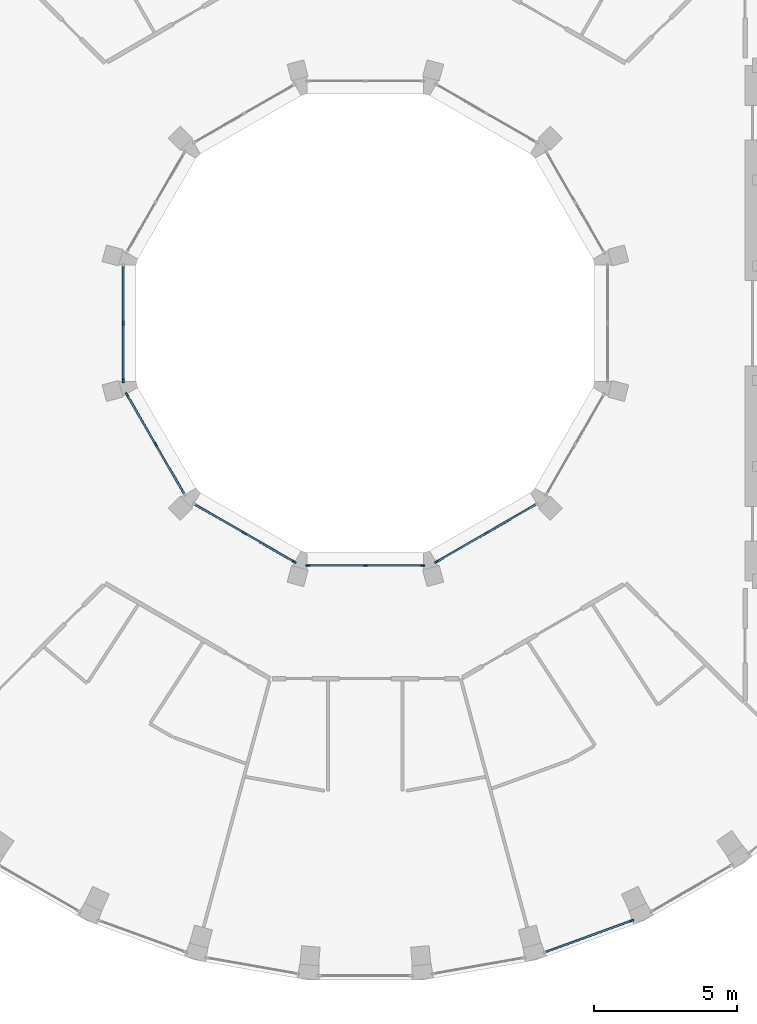
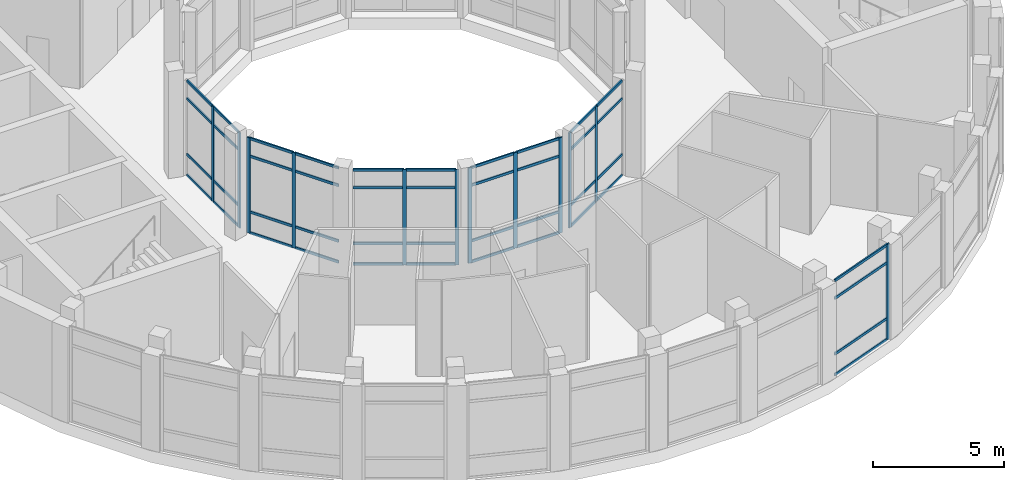
# One storey, part 3 of 16: 56 members, 6 elements without a shape of their own.
"""IFC4 building model written with IfcOpenShell, lengths in metres."""

from ifc_helpers import new_model, si_unit, direction, frame, origin, origin_2d, place, context, subcontext, project, spatial, rectangle, extrude, material, layer, layer_set, material_profile, profile_set, type_object, element, aggregate, save


model = new_model("IFC4")

# Units and contexts
model_context = context("Model", 3, precision=1e-05, world=origin(), true_north=direction((0.0, 1.0)))
body_context = subcontext(model_context, "Body", "Model", "MODEL_VIEW")
ifc_project = project(units=[si_unit("LENGTHUNIT", "METRE"), si_unit("AREAUNIT", "SQUARE_METRE"), si_unit("VOLUMEUNIT", "CUBIC_METRE"), si_unit("PLANEANGLEUNIT", "RADIAN"), si_unit("MASSUNIT", "GRAM", prefix="KILO")], contexts=[model_context])

# Site, building, storey
site_placement = place(None, origin())
site = spatial("IfcSite", under=ifc_project, at=site_placement, CompositionType="ELEMENT")
building_placement = place(site_placement, origin())
building = spatial("IfcBuilding", under=site, at=building_placement, Name="Saqina Gate Tower", CompositionType="ELEMENT")
storey_placement = place(building_placement, frame((0.0, 0.0, 279.199951171875)))
storey = spatial("IfcBuildingStorey", under=building, at=storey_placement, Name="L80", CompositionType="ELEMENT", Elevation=279.199951171875)

# Curtain wall, members
ifc_material_1 = material(Name="Aluminium glazing", Category="aluminium")
ifc_layer_1 = layer(ifc_material_1, 0.159912109375)
ifc_layer_set_1 = layer_set([ifc_layer_1], Name="CWT-2")
curtain_wall_type_1 = type_object("IfcCurtainWallType", Name="CWT-2", PredefinedType="NOTDEFINED", material=ifc_layer_set_1)
curtain_wall_1_placement = place(storey_placement, origin())
curtain_wall_1 = element("IfcCurtainWall", 1, at=curtain_wall_1_placement, inside=storey, type_object=curtain_wall_type_1, Name="Sky lounge glazing facet 29", PredefinedType="NOTDEFINED")
ifc_material_2 = material(Name="Aluminium", Category="aluminium")
ifc_material_profile_1 = material_profile(ifc_material_2, rectangle(XDim=0.06005859375, YDim=0.159912109375, at=origin_2d()), Name="Aluminium 60x160")
ifc_profile_set_1 = profile_set([ifc_material_profile_1], Name="Aluminium")
member_type_1 = type_object("IfcMemberType", Name="CWT-2M", PredefinedType="MULLION", material=ifc_profile_set_1)
member_1_placement = place(storey_placement, frame((9.284912109375, -20.843994140625, 0.0), z_axis=(0.0, 0.0, 1.0), x_axis=(-0.342007258437, 0.939697310402, 0.0)))
member_1 = element("IfcMember", 2, at=member_1_placement, type_object=member_type_1, Name="CW2-29 mullion 2", PredefinedType="MULLION", context=body_context, shape_type="SweptSolid", body=[
    extrude(rectangle(XDim=0.06005859375, YDim=0.159912109375, at=origin_2d()), origin(), (0.0, 0.0, 1.0), 4.449951171875),
])
ifc_material_3 = material(Name="Aluminium", Category="aluminium")
ifc_material_profile_2 = material_profile(ifc_material_3, rectangle(XDim=0.06005859375, YDim=0.1201171875, at=origin_2d()), Name="Aluminium 60x120")
ifc_profile_set_2 = profile_set([ifc_material_profile_2], Name="Aluminium")
member_type_2 = type_object("IfcMemberType", Name="CWT-2T", PredefinedType="USERDEFINED", material=ifc_profile_set_2)
member_2_placement = place(storey_placement, frame((6.313720703125, -21.92529296875, 0.030029296875), z_axis=(0.939700067025, 0.341999684258, 0.0), x_axis=(-0.341999684258, 0.939700067025, 0.0)))
member_2 = element("IfcMember", 3, at=member_2_placement, type_object=member_type_2, Name="CW2-29 transom 1.1", ObjectType="TRANSOM", PredefinedType="USERDEFINED", context=body_context, shape_type="SweptSolid", body=[
    extrude(rectangle(XDim=0.06005859375, YDim=0.1201171875, at=origin_2d()), origin(), (0.0, 0.0, 1.0), 3.131591796875),
])
member_3_placement = place(storey_placement, frame((6.313720703125, -21.92529296875, 1.0), z_axis=(0.939700067025, 0.341999684258, 0.0), x_axis=(-0.341999684258, 0.939700067025, 0.0)))
member_3 = element("IfcMember", 4, at=member_3_placement, type_object=member_type_2, Name="CW2-29 transom 1.2", ObjectType="TRANSOM", PredefinedType="USERDEFINED", context=body_context, shape_type="SweptSolid", body=[
    extrude(rectangle(XDim=0.06005859375, YDim=0.1201171875, at=origin_2d()), origin(), (0.0, 0.0, 1.0), 3.131591796875),
])
member_4_placement = place(storey_placement, frame((6.313720703125, -21.92529296875, 3.60009765625), z_axis=(0.939700067025, 0.341999684258, 0.0), x_axis=(-0.341999684258, 0.939700067025, 0.0)))
member_4 = element("IfcMember", 5, at=member_4_placement, type_object=member_type_2, Name="CW2-29 transom 1.3", ObjectType="TRANSOM", PredefinedType="USERDEFINED", context=body_context, shape_type="SweptSolid", body=[
    extrude(rectangle(XDim=0.06005859375, YDim=0.1201171875, at=origin_2d()), origin(), (0.0, 0.0, 1.0), 3.131591796875),
])
member_5_placement = place(storey_placement, frame((6.313720703125, -21.92529296875, 4.420166015625), z_axis=(0.939700067025, 0.341999684258, 0.0), x_axis=(-0.341999684258, 0.939700067025, 0.0)))
member_5 = element("IfcMember", 6, at=member_5_placement, type_object=member_type_2, Name="CW2-29 transom 1.4", ObjectType="TRANSOM", PredefinedType="USERDEFINED", context=body_context, shape_type="SweptSolid", body=[
    extrude(rectangle(XDim=0.06005859375, YDim=0.1201171875, at=origin_2d()), origin(), (0.0, 0.0, 1.0), 3.131591796875),
])
aggregate(curtain_wall_1, [member_1, member_2, member_3, member_4, member_5])

ifc_material_4 = material(Name="Aluminium glazing", Category="aluminium")
ifc_layer_2 = layer(ifc_material_4, 0.159912109375)
ifc_layer_set_2 = layer_set([ifc_layer_2], Name="CWT-3")
curtain_wall_type_2 = type_object("IfcCurtainWallType", Name="CWT-3", PredefinedType="NOTDEFINED", material=ifc_layer_set_2)
curtain_wall_2_placement = place(storey_placement, origin())
curtain_wall_2 = element("IfcCurtainWall", 7, at=curtain_wall_2_placement, inside=storey, type_object=curtain_wall_type_2, Name="Sky lounge well glazing L80 facet 6", PredefinedType="NOTDEFINED")
ifc_material_5 = material(Name="Aluminium", Category="aluminium")
ifc_material_profile_3 = material_profile(ifc_material_5, rectangle(XDim=0.06005859375, YDim=0.159912109375, at=origin_2d()), Name="Aluminium 60x160")
ifc_profile_set_3 = profile_set([ifc_material_profile_3], Name="Aluminium")
member_type_3 = type_object("IfcMemberType", Name="CWT-3M", PredefinedType="MULLION", material=ifc_profile_set_3)
member_6_placement = place(storey_placement, frame((-8.449951171875, 0.0, 0.0), z_axis=(0.0, 0.0, 1.0), x_axis=(1.0, 0.0, 0.0)))
member_6 = element("IfcMember", 8, at=member_6_placement, type_object=member_type_3, Name="CW3-06 mullion 2", PredefinedType="MULLION", context=body_context, shape_type="SweptSolid", body=[
    extrude(rectangle(XDim=0.06005859375, YDim=0.159912109375, at=origin_2d()), origin(), (0.0, 0.0, 1.0), 4.449951171875),
])
member_7_placement = place(storey_placement, frame((-8.449951171875, -1.99951171875, 0.0), z_axis=(0.0, 0.0, 1.0), x_axis=(1.0, 0.0, 0.0)))
member_7 = element("IfcMember", 9, at=member_7_placement, type_object=member_type_3, Name="CW3-06 mullion 3", PredefinedType="MULLION", context=body_context, shape_type="SweptSolid", body=[
    extrude(rectangle(XDim=0.06005859375, YDim=0.159912109375, at=origin_2d()), origin(), (0.0, 0.0, 1.0), 4.449951171875),
])

curtain_wall_3_placement = place(storey_placement, origin())
curtain_wall_3 = element("IfcCurtainWall", 10, at=curtain_wall_3_placement, inside=storey, type_object=curtain_wall_type_2, Name="Sky lounge well glazing L80 facet 7", PredefinedType="NOTDEFINED")
member_8_placement = place(storey_placement, frame((-8.317626953125, -2.493408203125, 0.0), z_axis=(0.0, 0.0, 1.0), x_axis=(0.866023931115, 0.500002550729, 0.0)))
member_8 = element("IfcMember", 11, at=member_8_placement, type_object=member_type_3, Name="CW3-07 mullion 1", PredefinedType="MULLION", context=body_context, shape_type="SweptSolid", body=[
    extrude(rectangle(XDim=0.06005859375, YDim=0.159912109375, at=origin_2d()), origin(), (0.0, 0.0, 1.0), 4.449951171875),
])
member_9_placement = place(storey_placement, frame((-7.31787109375, -4.22509765625, 0.0), z_axis=(0.0, 0.0, 1.0), x_axis=(0.866023931115, 0.500002550729, 0.0)))
member_9 = element("IfcMember", 12, at=member_9_placement, type_object=member_type_3, Name="CW3-07 mullion 2", PredefinedType="MULLION", context=body_context, shape_type="SweptSolid", body=[
    extrude(rectangle(XDim=0.06005859375, YDim=0.159912109375, at=origin_2d()), origin(), (0.0, 0.0, 1.0), 4.449951171875),
])

curtain_wall_4_placement = place(storey_placement, origin())
curtain_wall_4 = element("IfcCurtainWall", 13, at=curtain_wall_4_placement, inside=storey, type_object=curtain_wall_type_2, Name="Sky lounge well glazing L80 facet 8", PredefinedType="NOTDEFINED")
member_10_placement = place(storey_placement, frame((-4.22509765625, -7.31787109375, 0.0), z_axis=(0.0, 0.0, 1.0), x_axis=(0.500002550729, 0.866023931115, 0.0)))
member_10 = element("IfcMember", 14, at=member_10_placement, type_object=member_type_3, Name="CW3-08 mullion 2", PredefinedType="MULLION", context=body_context, shape_type="SweptSolid", body=[
    extrude(rectangle(XDim=0.06005859375, YDim=0.159912109375, at=origin_2d()), origin(), (0.0, 0.0, 1.0), 4.449951171875),
])
member_11_placement = place(storey_placement, frame((-2.493408203125, -8.317626953125, 0.0), z_axis=(0.0, 0.0, 1.0), x_axis=(0.500002550729, 0.866023931115, 0.0)))
member_11 = element("IfcMember", 15, at=member_11_placement, type_object=member_type_3, Name="CW3-08 mullion 3", PredefinedType="MULLION", context=body_context, shape_type="SweptSolid", body=[
    extrude(rectangle(XDim=0.06005859375, YDim=0.159912109375, at=origin_2d()), origin(), (0.0, 0.0, 1.0), 4.449951171875),
])

curtain_wall_5_placement = place(storey_placement, origin())
curtain_wall_5 = element("IfcCurtainWall", 16, at=curtain_wall_5_placement, inside=storey, type_object=curtain_wall_type_2, Name="Sky lounge well glazing L80 facet 9", PredefinedType="NOTDEFINED")
member_12_placement = place(storey_placement, frame((-1.99951171875, -8.449951171875, 0.0), z_axis=(0.0, 0.0, 1.0), x_axis=(0.0, 1.0, 0.0)))
member_12 = element("IfcMember", 17, at=member_12_placement, type_object=member_type_3, Name="CW3-09 mullion 1", PredefinedType="MULLION", context=body_context, shape_type="SweptSolid", body=[
    extrude(rectangle(XDim=0.06005859375, YDim=0.159912109375, at=origin_2d()), origin(), (0.0, 0.0, 1.0), 4.449951171875),
])
member_13_placement = place(storey_placement, frame((0.0, -8.449951171875, 0.0), z_axis=(0.0, 0.0, 1.0), x_axis=(0.0, 1.0, 0.0)))
member_13 = element("IfcMember", 18, at=member_13_placement, type_object=member_type_3, Name="CW3-09 mullion 2", PredefinedType="MULLION", context=body_context, shape_type="SweptSolid", body=[
    extrude(rectangle(XDim=0.06005859375, YDim=0.159912109375, at=origin_2d()), origin(), (0.0, 0.0, 1.0), 4.449951171875),
])
member_14_placement = place(storey_placement, frame((1.99951171875, -8.449951171875, 0.0), z_axis=(0.0, 0.0, 1.0), x_axis=(0.0, 1.0, 0.0)))
member_14 = element("IfcMember", 19, at=member_14_placement, type_object=member_type_3, Name="CW3-09 mullion 3", PredefinedType="MULLION", context=body_context, shape_type="SweptSolid", body=[
    extrude(rectangle(XDim=0.06005859375, YDim=0.159912109375, at=origin_2d()), origin(), (0.0, 0.0, 1.0), 4.449951171875),
])

curtain_wall_6_placement = place(storey_placement, origin())
curtain_wall_6 = element("IfcCurtainWall", 20, at=curtain_wall_6_placement, inside=storey, type_object=curtain_wall_type_2, Name="Sky lounge well glazing L80 facet 10", PredefinedType="NOTDEFINED")
member_15_placement = place(storey_placement, frame((2.493408203125, -8.317626953125, 0.0), z_axis=(0.0, 0.0, 1.0), x_axis=(-0.500002550729, 0.866023931115, 0.0)))
member_15 = element("IfcMember", 21, at=member_15_placement, type_object=member_type_3, Name="CW3-10 mullion 1", PredefinedType="MULLION", context=body_context, shape_type="SweptSolid", body=[
    extrude(rectangle(XDim=0.06005859375, YDim=0.159912109375, at=origin_2d()), origin(), (0.0, 0.0, 1.0), 4.449951171875),
])
member_16_placement = place(storey_placement, frame((4.22509765625, -7.31787109375, 0.0), z_axis=(0.0, 0.0, 1.0), x_axis=(-0.500002550729, 0.866023931115, 0.0)))
member_16 = element("IfcMember", 22, at=member_16_placement, type_object=member_type_3, Name="CW3-10 mullion 2", PredefinedType="MULLION", context=body_context, shape_type="SweptSolid", body=[
    extrude(rectangle(XDim=0.06005859375, YDim=0.159912109375, at=origin_2d()), origin(), (0.0, 0.0, 1.0), 4.449951171875),
])

# Member
ifc_material_6 = material(Name="Aluminium", Category="aluminium")
ifc_material_profile_4 = material_profile(ifc_material_6, rectangle(XDim=0.06005859375, YDim=0.1201171875, at=origin_2d()), Name="Aluminium 60x120")
ifc_profile_set_4 = profile_set([ifc_material_profile_4], Name="Aluminium")
member_type_4 = type_object("IfcMemberType", Name="CWT-3T", PredefinedType="USERDEFINED", material=ifc_profile_set_4)
member_17_placement = place(storey_placement, frame((-8.449951171875, 1.969482421875, 0.030029296875), z_axis=(0.0, -1.0, 0.0), x_axis=(1.0, 0.0, 0.0)))
member_17 = element("IfcMember", 23, at=member_17_placement, type_object=member_type_4, Name="CW3-06 transom 1.1", ObjectType="TRANSOM", PredefinedType="USERDEFINED", context=body_context, shape_type="SweptSolid", body=[
    extrude(rectangle(XDim=0.06005859375, YDim=0.1201171875, at=origin_2d()), origin(), (0.0, 0.0, 1.0), 1.939453125),
])

member_18_placement = place(storey_placement, frame((-8.449951171875, 1.969482421875, 1.0), z_axis=(0.0, -1.0, 0.0), x_axis=(1.0, 0.0, 0.0)))
member_18 = element("IfcMember", 24, at=member_18_placement, type_object=member_type_4, Name="CW3-06 transom 1.2", ObjectType="TRANSOM", PredefinedType="USERDEFINED", context=body_context, shape_type="SweptSolid", body=[
    extrude(rectangle(XDim=0.06005859375, YDim=0.1201171875, at=origin_2d()), origin(), (0.0, 0.0, 1.0), 1.939453125),
])

member_19_placement = place(storey_placement, frame((-8.449951171875, 1.969482421875, 3.60009765625), z_axis=(0.0, -1.0, 0.0), x_axis=(1.0, 0.0, 0.0)))
member_19 = element("IfcMember", 25, at=member_19_placement, type_object=member_type_4, Name="CW3-06 transom 1.3", ObjectType="TRANSOM", PredefinedType="USERDEFINED", context=body_context, shape_type="SweptSolid", body=[
    extrude(rectangle(XDim=0.06005859375, YDim=0.1201171875, at=origin_2d()), origin(), (0.0, 0.0, 1.0), 1.939453125),
])

member_20_placement = place(storey_placement, frame((-8.449951171875, 1.969482421875, 4.420166015625), z_axis=(0.0, -1.0, 0.0), x_axis=(1.0, 0.0, 0.0)))
member_20 = element("IfcMember", 26, at=member_20_placement, type_object=member_type_4, Name="CW3-06 transom 1.4", ObjectType="TRANSOM", PredefinedType="USERDEFINED", context=body_context, shape_type="SweptSolid", body=[
    extrude(rectangle(XDim=0.06005859375, YDim=0.1201171875, at=origin_2d()), origin(), (0.0, 0.0, 1.0), 1.939453125),
])

member_21_placement = place(storey_placement, frame((-8.449951171875, -0.030029296875, 0.030029296875), z_axis=(0.0, -1.0, 0.0), x_axis=(1.0, 0.0, 0.0)))
member_21 = element("IfcMember", 27, at=member_21_placement, type_object=member_type_4, Name="CW3-06 transom 2.1", ObjectType="TRANSOM", PredefinedType="USERDEFINED", context=body_context, shape_type="SweptSolid", body=[
    extrude(rectangle(XDim=0.06005859375, YDim=0.1201171875, at=origin_2d()), origin(), (0.0, 0.0, 1.0), 1.939453125),
])

member_22_placement = place(storey_placement, frame((-8.449951171875, -0.030029296875, 1.0), z_axis=(0.0, -1.0, 0.0), x_axis=(1.0, 0.0, 0.0)))
member_22 = element("IfcMember", 28, at=member_22_placement, type_object=member_type_4, Name="CW3-06 transom 2.2", ObjectType="TRANSOM", PredefinedType="USERDEFINED", context=body_context, shape_type="SweptSolid", body=[
    extrude(rectangle(XDim=0.06005859375, YDim=0.1201171875, at=origin_2d()), origin(), (0.0, 0.0, 1.0), 1.939453125),
])

member_23_placement = place(storey_placement, frame((-8.449951171875, -0.030029296875, 3.60009765625), z_axis=(0.0, -1.0, 0.0), x_axis=(1.0, 0.0, 0.0)))
member_23 = element("IfcMember", 29, at=member_23_placement, type_object=member_type_4, Name="CW3-06 transom 2.3", ObjectType="TRANSOM", PredefinedType="USERDEFINED", context=body_context, shape_type="SweptSolid", body=[
    extrude(rectangle(XDim=0.06005859375, YDim=0.1201171875, at=origin_2d()), origin(), (0.0, 0.0, 1.0), 1.939453125),
])

member_24_placement = place(storey_placement, frame((-8.449951171875, -0.030029296875, 4.420166015625), z_axis=(0.0, -1.0, 0.0), x_axis=(1.0, 0.0, 0.0)))
member_24 = element("IfcMember", 30, at=member_24_placement, type_object=member_type_4, Name="CW3-06 transom 2.4", ObjectType="TRANSOM", PredefinedType="USERDEFINED", context=body_context, shape_type="SweptSolid", body=[
    extrude(rectangle(XDim=0.06005859375, YDim=0.1201171875, at=origin_2d()), origin(), (0.0, 0.0, 1.0), 1.939453125),
])

aggregate(curtain_wall_2, [member_6, member_7, member_17, member_18, member_19, member_20, member_21, member_22, member_23, member_24])

member_25_placement = place(storey_placement, frame((-8.302490234375, -2.51953125, 0.030029296875), z_axis=(0.499944052521, -0.866057702667, 0.0), x_axis=(0.866057702667, 0.499944052521, 0.0)))
member_25 = element("IfcMember", 31, at=member_25_placement, type_object=member_type_4, Name="CW3-07 transom 1.1", ObjectType="TRANSOM", PredefinedType="USERDEFINED", context=body_context, shape_type="SweptSolid", body=[
    extrude(rectangle(XDim=0.06005859375, YDim=0.1201171875, at=origin_2d()), origin(), (0.0, 0.0, 1.0), 1.939208984375),
])

member_26_placement = place(storey_placement, frame((-8.302490234375, -2.51953125, 1.0), z_axis=(0.499944052521, -0.866057702667, 0.0), x_axis=(0.866057702667, 0.499944052521, 0.0)))
member_26 = element("IfcMember", 32, at=member_26_placement, type_object=member_type_4, Name="CW3-07 transom 1.2", ObjectType="TRANSOM", PredefinedType="USERDEFINED", context=body_context, shape_type="SweptSolid", body=[
    extrude(rectangle(XDim=0.06005859375, YDim=0.1201171875, at=origin_2d()), origin(), (0.0, 0.0, 1.0), 1.939208984375),
])

member_27_placement = place(storey_placement, frame((-8.302490234375, -2.51953125, 3.60009765625), z_axis=(0.499944052521, -0.866057702667, 0.0), x_axis=(0.866057702667, 0.499944052521, 0.0)))
member_27 = element("IfcMember", 33, at=member_27_placement, type_object=member_type_4, Name="CW3-07 transom 1.3", ObjectType="TRANSOM", PredefinedType="USERDEFINED", context=body_context, shape_type="SweptSolid", body=[
    extrude(rectangle(XDim=0.06005859375, YDim=0.1201171875, at=origin_2d()), origin(), (0.0, 0.0, 1.0), 1.939208984375),
])

member_28_placement = place(storey_placement, frame((-8.302490234375, -2.51953125, 4.420166015625), z_axis=(0.499944052521, -0.866057702667, 0.0), x_axis=(0.866057702667, 0.499944052521, 0.0)))
member_28 = element("IfcMember", 34, at=member_28_placement, type_object=member_type_4, Name="CW3-07 transom 1.4", ObjectType="TRANSOM", PredefinedType="USERDEFINED", context=body_context, shape_type="SweptSolid", body=[
    extrude(rectangle(XDim=0.06005859375, YDim=0.1201171875, at=origin_2d()), origin(), (0.0, 0.0, 1.0), 1.939208984375),
])

member_29_placement = place(storey_placement, frame((-7.302978515625, -4.2509765625, 0.030029296875), z_axis=(0.500038474733, -0.866003189247, 0.0), x_axis=(0.866003189247, 0.500038474733, 0.0)))
member_29 = element("IfcMember", 35, at=member_29_placement, type_object=member_type_4, Name="CW3-07 transom 2.1", ObjectType="TRANSOM", PredefinedType="USERDEFINED", context=body_context, shape_type="SweptSolid", body=[
    extrude(rectangle(XDim=0.06005859375, YDim=0.1201171875, at=origin_2d()), origin(), (0.0, 0.0, 1.0), 1.939208984375),
])

member_30_placement = place(storey_placement, frame((-7.302978515625, -4.2509765625, 1.0), z_axis=(0.500038474733, -0.866003189247, 0.0), x_axis=(0.866003189247, 0.500038474733, 0.0)))
member_30 = element("IfcMember", 36, at=member_30_placement, type_object=member_type_4, Name="CW3-07 transom 2.2", ObjectType="TRANSOM", PredefinedType="USERDEFINED", context=body_context, shape_type="SweptSolid", body=[
    extrude(rectangle(XDim=0.06005859375, YDim=0.1201171875, at=origin_2d()), origin(), (0.0, 0.0, 1.0), 1.939208984375),
])

member_31_placement = place(storey_placement, frame((-7.302978515625, -4.2509765625, 3.60009765625), z_axis=(0.500038474733, -0.866003189247, 0.0), x_axis=(0.866003189247, 0.500038474733, 0.0)))
member_31 = element("IfcMember", 37, at=member_31_placement, type_object=member_type_4, Name="CW3-07 transom 2.3", ObjectType="TRANSOM", PredefinedType="USERDEFINED", context=body_context, shape_type="SweptSolid", body=[
    extrude(rectangle(XDim=0.06005859375, YDim=0.1201171875, at=origin_2d()), origin(), (0.0, 0.0, 1.0), 1.939208984375),
])

member_32_placement = place(storey_placement, frame((-7.302978515625, -4.2509765625, 4.420166015625), z_axis=(0.500038474733, -0.866003189247, 0.0), x_axis=(0.866003189247, 0.500038474733, 0.0)))
member_32 = element("IfcMember", 38, at=member_32_placement, type_object=member_type_4, Name="CW3-07 transom 2.4", ObjectType="TRANSOM", PredefinedType="USERDEFINED", context=body_context, shape_type="SweptSolid", body=[
    extrude(rectangle(XDim=0.06005859375, YDim=0.1201171875, at=origin_2d()), origin(), (0.0, 0.0, 1.0), 1.939208984375),
])

aggregate(curtain_wall_3, [member_8, member_9, member_25, member_26, member_27, member_28, member_29, member_30, member_31, member_32])

member_33_placement = place(storey_placement, frame((-5.930419921875, -6.333251953125, 0.030029296875), z_axis=(0.866003189247, -0.500038474733, 0.0), x_axis=(0.500038474733, 0.866003189247, 0.0)))
member_33 = element("IfcMember", 39, at=member_33_placement, type_object=member_type_4, Name="CW3-08 transom 1.1", ObjectType="TRANSOM", PredefinedType="USERDEFINED", context=body_context, shape_type="SweptSolid", body=[
    extrude(rectangle(XDim=0.06005859375, YDim=0.1201171875, at=origin_2d()), origin(), (0.0, 0.0, 1.0), 1.939208984375),
])

member_34_placement = place(storey_placement, frame((-5.930419921875, -6.333251953125, 1.0), z_axis=(0.866003189247, -0.500038474733, 0.0), x_axis=(0.500038474733, 0.866003189247, 0.0)))
member_34 = element("IfcMember", 40, at=member_34_placement, type_object=member_type_4, Name="CW3-08 transom 1.2", ObjectType="TRANSOM", PredefinedType="USERDEFINED", context=body_context, shape_type="SweptSolid", body=[
    extrude(rectangle(XDim=0.06005859375, YDim=0.1201171875, at=origin_2d()), origin(), (0.0, 0.0, 1.0), 1.939208984375),
])

member_35_placement = place(storey_placement, frame((-5.930419921875, -6.333251953125, 3.60009765625), z_axis=(0.866003189247, -0.500038474733, 0.0), x_axis=(0.500038474733, 0.866003189247, 0.0)))
member_35 = element("IfcMember", 41, at=member_35_placement, type_object=member_type_4, Name="CW3-08 transom 1.3", ObjectType="TRANSOM", PredefinedType="USERDEFINED", context=body_context, shape_type="SweptSolid", body=[
    extrude(rectangle(XDim=0.06005859375, YDim=0.1201171875, at=origin_2d()), origin(), (0.0, 0.0, 1.0), 1.939208984375),
])

member_36_placement = place(storey_placement, frame((-5.930419921875, -6.333251953125, 4.420166015625), z_axis=(0.866003189247, -0.500038474733, 0.0), x_axis=(0.500038474733, 0.866003189247, 0.0)))
member_36 = element("IfcMember", 42, at=member_36_placement, type_object=member_type_4, Name="CW3-08 transom 1.4", ObjectType="TRANSOM", PredefinedType="USERDEFINED", context=body_context, shape_type="SweptSolid", body=[
    extrude(rectangle(XDim=0.06005859375, YDim=0.1201171875, at=origin_2d()), origin(), (0.0, 0.0, 1.0), 1.939208984375),
])

member_37_placement = place(storey_placement, frame((-4.198974609375, -7.3330078125, 0.030029296875), z_axis=(0.866057702667, -0.499944052521, 0.0), x_axis=(0.499944052521, 0.866057702667, 0.0)))
member_37 = element("IfcMember", 43, at=member_37_placement, type_object=member_type_4, Name="CW3-08 transom 2.1", ObjectType="TRANSOM", PredefinedType="USERDEFINED", context=body_context, shape_type="SweptSolid", body=[
    extrude(rectangle(XDim=0.06005859375, YDim=0.1201171875, at=origin_2d()), origin(), (0.0, 0.0, 1.0), 1.939208984375),
])

member_38_placement = place(storey_placement, frame((-4.198974609375, -7.3330078125, 1.0), z_axis=(0.866057702667, -0.499944052521, 0.0), x_axis=(0.499944052521, 0.866057702667, 0.0)))
member_38 = element("IfcMember", 44, at=member_38_placement, type_object=member_type_4, Name="CW3-08 transom 2.2", ObjectType="TRANSOM", PredefinedType="USERDEFINED", context=body_context, shape_type="SweptSolid", body=[
    extrude(rectangle(XDim=0.06005859375, YDim=0.1201171875, at=origin_2d()), origin(), (0.0, 0.0, 1.0), 1.939208984375),
])

member_39_placement = place(storey_placement, frame((-4.198974609375, -7.3330078125, 3.60009765625), z_axis=(0.866057702667, -0.499944052521, 0.0), x_axis=(0.499944052521, 0.866057702667, 0.0)))
member_39 = element("IfcMember", 45, at=member_39_placement, type_object=member_type_4, Name="CW3-08 transom 2.3", ObjectType="TRANSOM", PredefinedType="USERDEFINED", context=body_context, shape_type="SweptSolid", body=[
    extrude(rectangle(XDim=0.06005859375, YDim=0.1201171875, at=origin_2d()), origin(), (0.0, 0.0, 1.0), 1.939208984375),
])

member_40_placement = place(storey_placement, frame((-4.198974609375, -7.3330078125, 4.420166015625), z_axis=(0.866057702667, -0.499944052521, 0.0), x_axis=(0.499944052521, 0.866057702667, 0.0)))
member_40 = element("IfcMember", 46, at=member_40_placement, type_object=member_type_4, Name="CW3-08 transom 2.4", ObjectType="TRANSOM", PredefinedType="USERDEFINED", context=body_context, shape_type="SweptSolid", body=[
    extrude(rectangle(XDim=0.06005859375, YDim=0.1201171875, at=origin_2d()), origin(), (0.0, 0.0, 1.0), 1.939208984375),
])

aggregate(curtain_wall_4, [member_10, member_11, member_33, member_34, member_35, member_36, member_37, member_38, member_39, member_40])

member_41_placement = place(storey_placement, frame((-1.969482421875, -8.449951171875, 0.030029296875), z_axis=(1.0, 0.0, 0.0), x_axis=(0.0, 1.0, 0.0)))
member_41 = element("IfcMember", 47, at=member_41_placement, type_object=member_type_4, Name="CW3-09 transom 1.1", ObjectType="TRANSOM", PredefinedType="USERDEFINED", context=body_context, shape_type="SweptSolid", body=[
    extrude(rectangle(XDim=0.06005859375, YDim=0.1201171875, at=origin_2d()), origin(), (0.0, 0.0, 1.0), 1.939453125),
])

member_42_placement = place(storey_placement, frame((-1.969482421875, -8.449951171875, 1.0), z_axis=(1.0, 0.0, 0.0), x_axis=(0.0, 1.0, 0.0)))
member_42 = element("IfcMember", 48, at=member_42_placement, type_object=member_type_4, Name="CW3-09 transom 1.2", ObjectType="TRANSOM", PredefinedType="USERDEFINED", context=body_context, shape_type="SweptSolid", body=[
    extrude(rectangle(XDim=0.06005859375, YDim=0.1201171875, at=origin_2d()), origin(), (0.0, 0.0, 1.0), 1.939453125),
])

member_43_placement = place(storey_placement, frame((-1.969482421875, -8.449951171875, 3.60009765625), z_axis=(1.0, 0.0, 0.0), x_axis=(0.0, 1.0, 0.0)))
member_43 = element("IfcMember", 49, at=member_43_placement, type_object=member_type_4, Name="CW3-09 transom 1.3", ObjectType="TRANSOM", PredefinedType="USERDEFINED", context=body_context, shape_type="SweptSolid", body=[
    extrude(rectangle(XDim=0.06005859375, YDim=0.1201171875, at=origin_2d()), origin(), (0.0, 0.0, 1.0), 1.939453125),
])

member_44_placement = place(storey_placement, frame((-1.969482421875, -8.449951171875, 4.420166015625), z_axis=(1.0, 0.0, 0.0), x_axis=(0.0, 1.0, 0.0)))
member_44 = element("IfcMember", 50, at=member_44_placement, type_object=member_type_4, Name="CW3-09 transom 1.4", ObjectType="TRANSOM", PredefinedType="USERDEFINED", context=body_context, shape_type="SweptSolid", body=[
    extrude(rectangle(XDim=0.06005859375, YDim=0.1201171875, at=origin_2d()), origin(), (0.0, 0.0, 1.0), 1.939453125),
])

member_45_placement = place(storey_placement, frame((0.030029296875, -8.449951171875, 0.030029296875), z_axis=(1.0, 0.0, 0.0), x_axis=(0.0, 1.0, 0.0)))
member_45 = element("IfcMember", 51, at=member_45_placement, type_object=member_type_4, Name="CW3-09 transom 2.1", ObjectType="TRANSOM", PredefinedType="USERDEFINED", context=body_context, shape_type="SweptSolid", body=[
    extrude(rectangle(XDim=0.06005859375, YDim=0.1201171875, at=origin_2d()), origin(), (0.0, 0.0, 1.0), 1.939453125),
])

member_46_placement = place(storey_placement, frame((0.030029296875, -8.449951171875, 1.0), z_axis=(1.0, 0.0, 0.0), x_axis=(0.0, 1.0, 0.0)))
member_46 = element("IfcMember", 52, at=member_46_placement, type_object=member_type_4, Name="CW3-09 transom 2.2", ObjectType="TRANSOM", PredefinedType="USERDEFINED", context=body_context, shape_type="SweptSolid", body=[
    extrude(rectangle(XDim=0.06005859375, YDim=0.1201171875, at=origin_2d()), origin(), (0.0, 0.0, 1.0), 1.939453125),
])

member_47_placement = place(storey_placement, frame((0.030029296875, -8.449951171875, 3.60009765625), z_axis=(1.0, 0.0, 0.0), x_axis=(0.0, 1.0, 0.0)))
member_47 = element("IfcMember", 53, at=member_47_placement, type_object=member_type_4, Name="CW3-09 transom 2.3", ObjectType="TRANSOM", PredefinedType="USERDEFINED", context=body_context, shape_type="SweptSolid", body=[
    extrude(rectangle(XDim=0.06005859375, YDim=0.1201171875, at=origin_2d()), origin(), (0.0, 0.0, 1.0), 1.939453125),
])

member_48_placement = place(storey_placement, frame((0.030029296875, -8.449951171875, 4.420166015625), z_axis=(1.0, 0.0, 0.0), x_axis=(0.0, 1.0, 0.0)))
member_48 = element("IfcMember", 54, at=member_48_placement, type_object=member_type_4, Name="CW3-09 transom 2.4", ObjectType="TRANSOM", PredefinedType="USERDEFINED", context=body_context, shape_type="SweptSolid", body=[
    extrude(rectangle(XDim=0.06005859375, YDim=0.1201171875, at=origin_2d()), origin(), (0.0, 0.0, 1.0), 1.939453125),
])

aggregate(curtain_wall_5, [member_12, member_13, member_14, member_41, member_42, member_43, member_44, member_45, member_46, member_47, member_48])

member_49_placement = place(storey_placement, frame((2.51953125, -8.302490234375, 0.030029296875), z_axis=(0.866057702667, 0.499944052521, 0.0), x_axis=(-0.499944052521, 0.866057702667, 0.0)))
member_49 = element("IfcMember", 55, at=member_49_placement, type_object=member_type_4, Name="CW3-10 transom 1.1", ObjectType="TRANSOM", PredefinedType="USERDEFINED", context=body_context, shape_type="SweptSolid", body=[
    extrude(rectangle(XDim=0.06005859375, YDim=0.1201171875, at=origin_2d()), origin(), (0.0, 0.0, 1.0), 1.939208984375),
])

member_50_placement = place(storey_placement, frame((2.51953125, -8.302490234375, 1.0), z_axis=(0.866057702667, 0.499944052521, 0.0), x_axis=(-0.499944052521, 0.866057702667, 0.0)))
member_50 = element("IfcMember", 56, at=member_50_placement, type_object=member_type_4, Name="CW3-10 transom 1.2", ObjectType="TRANSOM", PredefinedType="USERDEFINED", context=body_context, shape_type="SweptSolid", body=[
    extrude(rectangle(XDim=0.06005859375, YDim=0.1201171875, at=origin_2d()), origin(), (0.0, 0.0, 1.0), 1.939208984375),
])

member_51_placement = place(storey_placement, frame((2.51953125, -8.302490234375, 3.60009765625), z_axis=(0.866057702667, 0.499944052521, 0.0), x_axis=(-0.499944052521, 0.866057702667, 0.0)))
member_51 = element("IfcMember", 57, at=member_51_placement, type_object=member_type_4, Name="CW3-10 transom 1.3", ObjectType="TRANSOM", PredefinedType="USERDEFINED", context=body_context, shape_type="SweptSolid", body=[
    extrude(rectangle(XDim=0.06005859375, YDim=0.1201171875, at=origin_2d()), origin(), (0.0, 0.0, 1.0), 1.939208984375),
])

member_52_placement = place(storey_placement, frame((2.51953125, -8.302490234375, 4.420166015625), z_axis=(0.866057702667, 0.499944052521, 0.0), x_axis=(-0.499944052521, 0.866057702667, 0.0)))
member_52 = element("IfcMember", 58, at=member_52_placement, type_object=member_type_4, Name="CW3-10 transom 1.4", ObjectType="TRANSOM", PredefinedType="USERDEFINED", context=body_context, shape_type="SweptSolid", body=[
    extrude(rectangle(XDim=0.06005859375, YDim=0.1201171875, at=origin_2d()), origin(), (0.0, 0.0, 1.0), 1.939208984375),
])

member_53_placement = place(storey_placement, frame((4.2509765625, -7.302978515625, 0.030029296875), z_axis=(0.866003189247, 0.500038474733, 0.0), x_axis=(-0.500038474733, 0.866003189247, 0.0)))
member_53 = element("IfcMember", 59, at=member_53_placement, type_object=member_type_4, Name="CW3-10 transom 2.1", ObjectType="TRANSOM", PredefinedType="USERDEFINED", context=body_context, shape_type="SweptSolid", body=[
    extrude(rectangle(XDim=0.06005859375, YDim=0.1201171875, at=origin_2d()), origin(), (0.0, 0.0, 1.0), 1.939208984375),
])

member_54_placement = place(storey_placement, frame((4.2509765625, -7.302978515625, 1.0), z_axis=(0.866003189247, 0.500038474733, 0.0), x_axis=(-0.500038474733, 0.866003189247, 0.0)))
member_54 = element("IfcMember", 60, at=member_54_placement, type_object=member_type_4, Name="CW3-10 transom 2.2", ObjectType="TRANSOM", PredefinedType="USERDEFINED", context=body_context, shape_type="SweptSolid", body=[
    extrude(rectangle(XDim=0.06005859375, YDim=0.1201171875, at=origin_2d()), origin(), (0.0, 0.0, 1.0), 1.939208984375),
])

member_55_placement = place(storey_placement, frame((4.2509765625, -7.302978515625, 3.60009765625), z_axis=(0.866003189247, 0.500038474733, 0.0), x_axis=(-0.500038474733, 0.866003189247, 0.0)))
member_55 = element("IfcMember", 61, at=member_55_placement, type_object=member_type_4, Name="CW3-10 transom 2.3", ObjectType="TRANSOM", PredefinedType="USERDEFINED", context=body_context, shape_type="SweptSolid", body=[
    extrude(rectangle(XDim=0.06005859375, YDim=0.1201171875, at=origin_2d()), origin(), (0.0, 0.0, 1.0), 1.939208984375),
])

member_56_placement = place(storey_placement, frame((4.2509765625, -7.302978515625, 4.420166015625), z_axis=(0.866003189247, 0.500038474733, 0.0), x_axis=(-0.500038474733, 0.866003189247, 0.0)))
member_56 = element("IfcMember", 62, at=member_56_placement, type_object=member_type_4, Name="CW3-10 transom 2.4", ObjectType="TRANSOM", PredefinedType="USERDEFINED", context=body_context, shape_type="SweptSolid", body=[
    extrude(rectangle(XDim=0.06005859375, YDim=0.1201171875, at=origin_2d()), origin(), (0.0, 0.0, 1.0), 1.939208984375),
])

aggregate(curtain_wall_6, [member_15, member_16, member_49, member_50, member_51, member_52, member_53, member_54, member_55, member_56])

save(model, "model.ifc")
